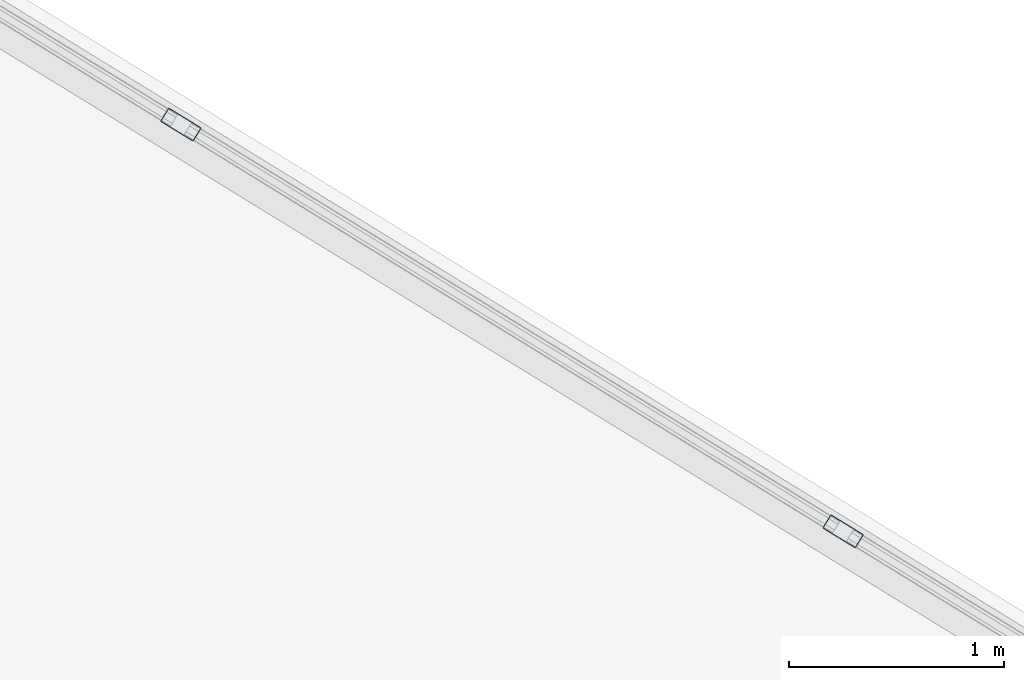
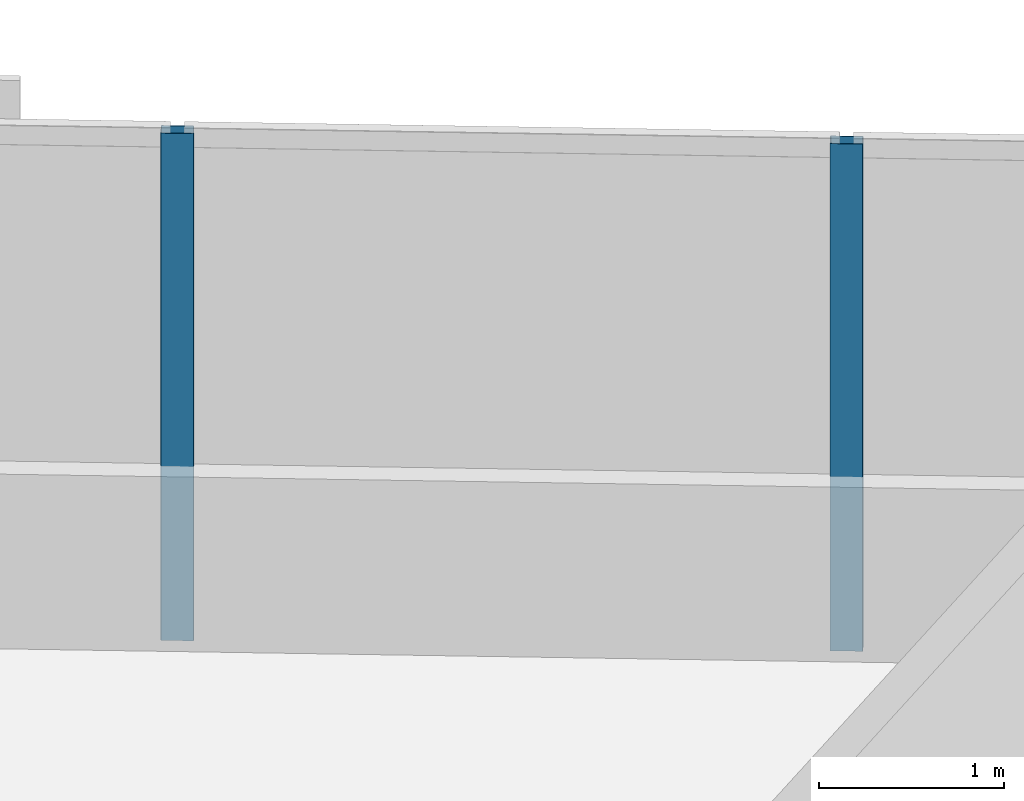
# One storey, part 8 of 19: 2 members, 1 element without a shape of its own.
"""IFC4 building model written with IfcOpenShell, lengths in metres."""

from ifc_helpers import new_model, si_unit, direction, frame, origin, origin_2d, place, context, subcontext, project, spatial, hollow_rectangle, extrude, material, material_profile, profile_set, type_object, element, aggregate, save


model = new_model("IFC4")

# Units and contexts
model_context = context("Model", 3, precision=1e-05, world=origin(), true_north=direction((0.0, 1.0)))
body_context = subcontext(model_context, "Body", "Model", "MODEL_VIEW")
ifc_project = project(units=[si_unit("LENGTHUNIT", "METRE"), si_unit("AREAUNIT", "SQUARE_METRE"), si_unit("VOLUMEUNIT", "CUBIC_METRE"), si_unit("PLANEANGLEUNIT", "RADIAN"), si_unit("MASSUNIT", "GRAM", prefix="KILO")], contexts=[model_context])

# Site, building, storey
site_placement = place(None, origin())
site = spatial("IfcSite", under=ifc_project, at=site_placement, CompositionType="ELEMENT")
building_placement = place(site_placement, origin())
building = spatial("IfcBuilding", under=site, at=building_placement, Name="Narakoshi Arena Tower", CompositionType="ELEMENT")
storey_placement = place(building_placement, frame((0.0, 0.0, 113.699951171875)))
storey = spatial("IfcBuildingStorey", under=building, at=storey_placement, Name="L30", CompositionType="ELEMENT", Elevation=113.699951171875)

# Curtain wall, members
ifc_material = material(Name="Anodised bronze aluminium 6063-T6", Category="aluminium")
curtain_wall_type = type_object("IfcCurtainWallType", Name="CW-HYP-LOW", PredefinedType="NOTDEFINED", material=ifc_material)
curtain_wall_placement = place(storey_placement, origin())
curtain_wall = element("IfcCurtainWall", 1, at=curtain_wall_placement, inside=storey, type_object=curtain_wall_type, Name="L30 Folded Hypotenuse Curtain Wall 1-1", PredefinedType="NOTDEFINED")
ifc_material_profile = material_profile(ifc_material, hollow_rectangle(XDim=0.074951171875, YDim=0.179931640625, WallThickness=0.00390625, OuterFilletRadius=0.0048828125, at=origin_2d()), Name="MUL180x75x4")
ifc_profile_set = profile_set([ifc_material_profile], Name="Anodised bronze aluminium 6063-T6")
member_type = type_object("IfcMemberType", Name="MEM-MUL-180", PredefinedType="MULLION", material=ifc_profile_set)
member_1_placement = place(storey_placement, frame((109.9638671875, 49.1982421875, 0.0), z_axis=(0.0, 0.0, 1.0), x_axis=(-0.523357676535, -0.852113104237, 0.0)))
member_1 = element("IfcMember", 2, at=member_1_placement, type_object=member_type, Name="CW-01 mullion 4", PredefinedType="MULLION", context=body_context, shape_type="SweptSolid", body=[
    extrude(hollow_rectangle(XDim=0.074951171875, YDim=0.179931640625, WallThickness=0.00390625, OuterFilletRadius=0.0048828125, at=origin_2d()), origin(), (0.0, 0.0, 1.0), 3.340087890625),
])
member_2_placement = place(storey_placement, frame((106.886962890625, 51.088134765625, 0.0), z_axis=(0.0, 0.0, 1.0), x_axis=(-0.523357676535, -0.852113104237, 0.0)))
member_2 = element("IfcMember", 3, at=member_2_placement, type_object=member_type, Name="CW-01 mullion 5", PredefinedType="MULLION", context=body_context, shape_type="SweptSolid", body=[
    extrude(hollow_rectangle(XDim=0.074951171875, YDim=0.179931640625, WallThickness=0.00390625, OuterFilletRadius=0.0048828125, at=origin_2d()), origin(), (0.0, 0.0, 1.0), 3.340087890625),
])
aggregate(curtain_wall, [member_1, member_2])

save(model, "model.ifc")
